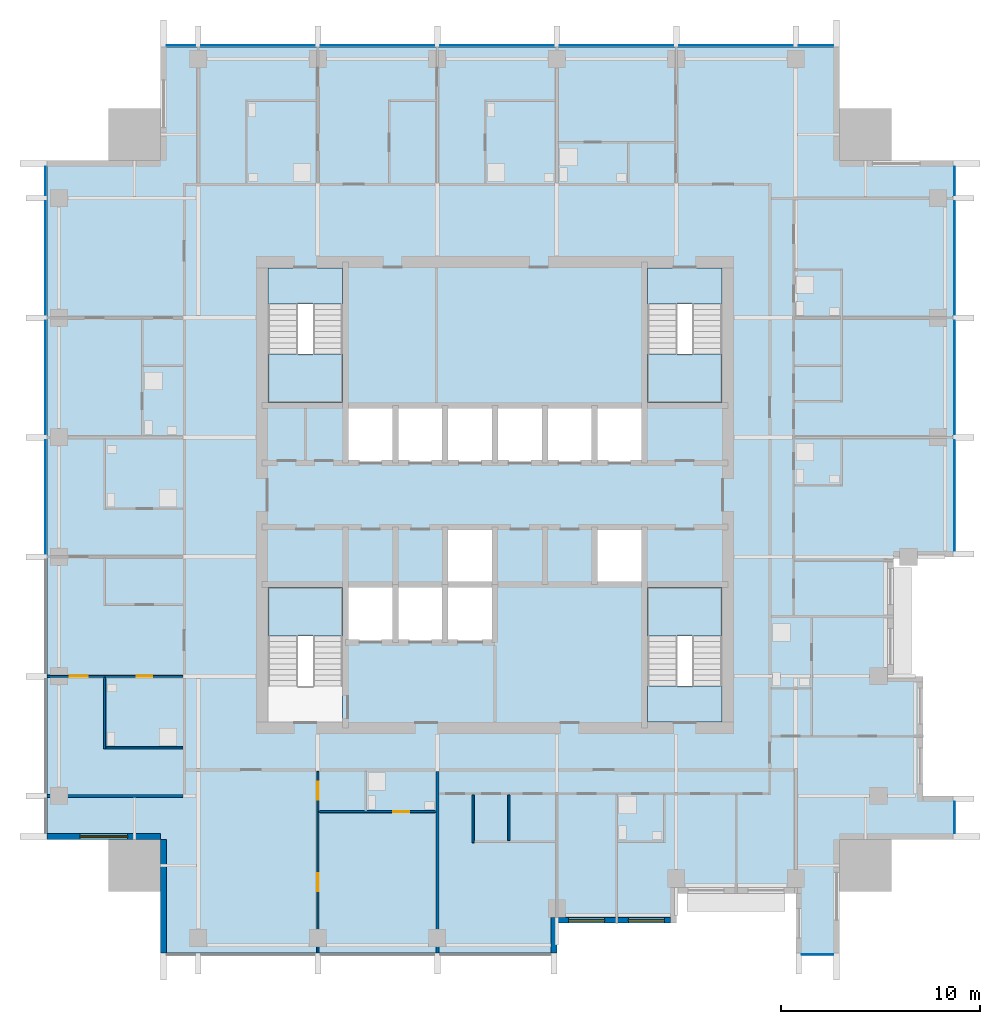
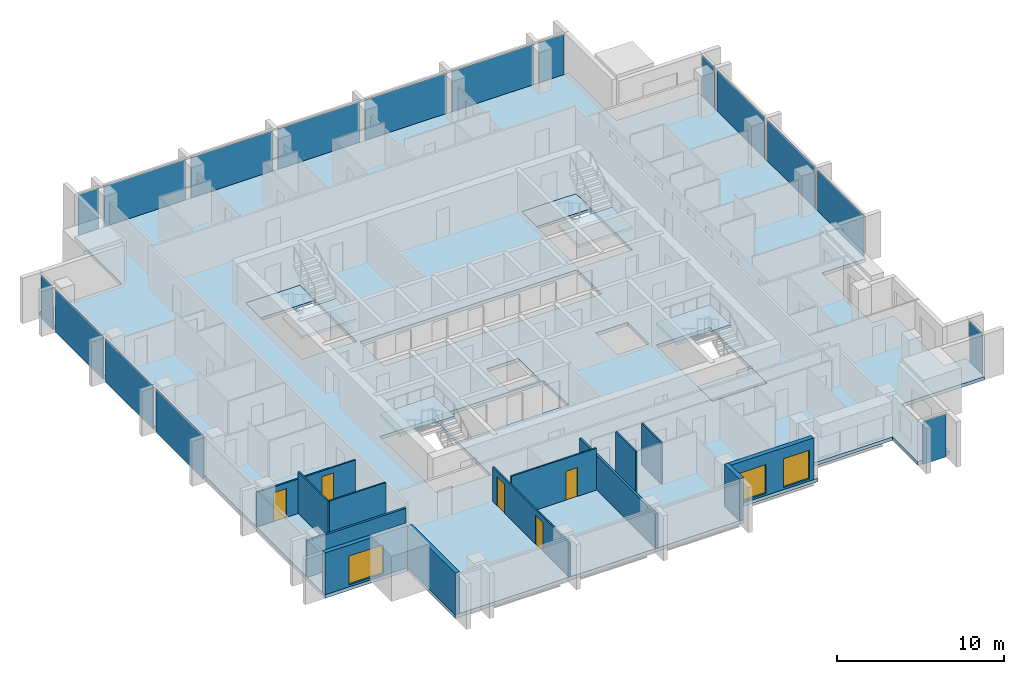
# One storey, part 3 of 10: 17 plates, 13 walls, 8 slabs, 5 doors, 3 windows, 8 openings, 9 elements without a shape of their own.
"""IFC4 building model written with IfcOpenShell, lengths in metres."""

from ifc_helpers import new_model, si_unit, direction, frame, frame_2d, origin, origin_2d, place, context, subcontext, project, spatial, polyline, rectangle, outline, extrude, material, layer, layer_set, type_object, element, fill, aggregate, save


model = new_model("IFC4")

# Units and contexts
model_context = context("Model", 3, precision=1e-05, world=origin(), true_north=direction((0.0, 1.0)))
body_context = subcontext(model_context, "Body", "Model", "MODEL_VIEW")
ifc_project = project(units=[si_unit("LENGTHUNIT", "METRE"), si_unit("AREAUNIT", "SQUARE_METRE"), si_unit("VOLUMEUNIT", "CUBIC_METRE"), si_unit("PLANEANGLEUNIT", "RADIAN"), si_unit("MASSUNIT", "GRAM", prefix="KILO")], contexts=[model_context])

# Site, building, storey
site_placement = place(None, origin())
site = spatial("IfcSite", under=ifc_project, at=site_placement, CompositionType="ELEMENT")
building_placement = place(site_placement, origin())
building = spatial("IfcBuilding", under=site, at=building_placement, Name="Amberfall Residences", CompositionType="ELEMENT")
storey_placement = place(building_placement, frame((0.0, 0.0, 200.199951171875)))
storey = spatial("IfcBuildingStorey", under=building, at=storey_placement, Name="L53", CompositionType="ELEMENT", Elevation=200.199951171875)

# Curtain wall, plate
ifc_material_1 = material(Name="Bronze anodised aluminium and glass", Category="aluminium")
curtain_wall_type = type_object("IfcCurtainWallType", Name="Curtain wall CW1 tower unit", PredefinedType="USERDEFINED", material=ifc_material_1)
curtain_wall_1_placement = place(storey_placement, origin())
curtain_wall_1 = element("IfcCurtainWall", 1, at=curtain_wall_1_placement, inside=storey, type_object=curtain_wall_type, Name="Curtain wall L53 S S7", ObjectType="UNITISED CURTAIN WALL", PredefinedType="USERDEFINED")
ifc_material_2 = material(Name="Tinted double glazed unit", Category="glass")
ifc_layer_1 = layer(ifc_material_2, 0.035888671875)
ifc_layer_set_1 = layer_set([ifc_layer_1], Name="CW1 panel 36 glazing")
plate_type = type_object("IfcPlateType", Name="CW1 panel 36 glazing", PredefinedType="CURTAIN_PANEL", material=ifc_layer_set_1)
plate_1_placement = place(storey_placement, frame((90.699951171875, 22.425048828125, -0.25), z_axis=(0.0, 0.0, 1.0), x_axis=(1.0, 0.0, 0.0)))
plate_1 = element("IfcPlate", 2, at=plate_1_placement, type_object=plate_type, Name="CW1 panel 1.1", PredefinedType="CURTAIN_PANEL", context=body_context, shape_type="SweptSolid", body=[
    extrude(rectangle(XDim=1.575927734375, YDim=0.035888671875, at=origin_2d()), origin(), (0.0, 0.0, 1.0), 3.14990234375),
])
aggregate(curtain_wall_1, [plate_1])

curtain_wall_2_placement = place(storey_placement, origin())
curtain_wall_2 = element("IfcCurtainWall", 3, at=curtain_wall_2_placement, inside=storey, type_object=curtain_wall_type, Name="Curtain wall L53 E E1", ObjectType="UNITISED CURTAIN WALL", PredefinedType="USERDEFINED")
plate_2_placement = place(storey_placement, frame((97.574951171875, 29.300048828125, -0.25), z_axis=(0.0, 0.0, 1.0), x_axis=(0.0, 1.0, 0.0)))
plate_2 = element("IfcPlate", 4, at=plate_2_placement, type_object=plate_type, Name="CW1 panel 1.1", PredefinedType="CURTAIN_PANEL", context=body_context, shape_type="SweptSolid", body=[
    extrude(rectangle(XDim=1.575927734375, YDim=0.035888671875, at=origin_2d()), origin(), (0.0, 0.0, 1.0), 3.14990234375),
])
aggregate(curtain_wall_2, [plate_2])

# Curtain wall, plates
curtain_wall_3_placement = place(storey_placement, origin())
curtain_wall_3 = element("IfcCurtainWall", 5, at=curtain_wall_3_placement, inside=storey, type_object=curtain_wall_type, Name="Curtain wall L53 E E7", ObjectType="UNITISED CURTAIN WALL", PredefinedType="USERDEFINED")
plate_3_placement = place(storey_placement, frame((97.574951171875, 45.47509765625, -0.25), z_axis=(0.0, 0.0, 1.0), x_axis=(0.0, 1.0, 0.0)))
plate_3 = element("IfcPlate", 6, at=plate_3_placement, type_object=plate_type, Name="CW1 panel 1.1", PredefinedType="CURTAIN_PANEL", context=body_context, shape_type="SweptSolid", body=[
    extrude(rectangle(XDim=5.52587890625, YDim=0.035888671875, at=origin_2d()), origin(), (0.0, 0.0, 1.0), 3.14990234375),
])
plate_4_placement = place(storey_placement, frame((97.574951171875, 51.39990234375, -0.25), z_axis=(0.0, 0.0, 1.0), x_axis=(0.0, 1.0, 0.0)))
plate_4 = element("IfcPlate", 7, at=plate_4_placement, type_object=plate_type, Name="CW1 panel 2.1", PredefinedType="CURTAIN_PANEL", context=body_context, shape_type="SweptSolid", body=[
    extrude(rectangle(XDim=5.676025390625, YDim=0.035888671875, at=origin_2d()), origin(), (0.0, 0.0, 1.0), 3.14990234375),
])
plate_5_placement = place(storey_placement, frame((97.574951171875, 57.39990234375, -0.25), z_axis=(0.0, 0.0, 1.0), x_axis=(0.0, 1.0, 0.0)))
plate_5 = element("IfcPlate", 8, at=plate_5_placement, type_object=plate_type, Name="CW1 panel 3.1", PredefinedType="CURTAIN_PANEL", context=body_context, shape_type="SweptSolid", body=[
    extrude(rectangle(XDim=5.676025390625, YDim=0.035888671875, at=origin_2d()), origin(), (0.0, 0.0, 1.0), 3.14990234375),
])
plate_6_placement = place(storey_placement, frame((97.574951171875, 61.27490234375, -0.25), z_axis=(0.0, 0.0, 1.0), x_axis=(0.0, 1.0, 0.0)))
plate_6 = element("IfcPlate", 9, at=plate_6_placement, type_object=plate_type, Name="CW1 panel 4.1", PredefinedType="CURTAIN_PANEL", context=body_context, shape_type="SweptSolid", body=[
    extrude(rectangle(XDim=1.426025390625, YDim=0.035888671875, at=origin_2d()), origin(), (0.0, 0.0, 1.0), 3.14990234375),
])
aggregate(curtain_wall_3, [plate_3, plate_4, plate_5, plate_6])

curtain_wall_4_placement = place(storey_placement, origin())
curtain_wall_4 = element("IfcCurtainWall", 10, at=curtain_wall_4_placement, inside=storey, type_object=curtain_wall_type, Name="Curtain wall L53 N N1", ObjectType="UNITISED CURTAIN WALL", PredefinedType="USERDEFINED")
plate_7_placement = place(storey_placement, frame((90.625, 68.074951171875, -0.25), z_axis=(0.0, 0.0, 1.0), x_axis=(-1.0, 0.0, 0.0)))
plate_7 = element("IfcPlate", 11, at=plate_7_placement, type_object=plate_type, Name="CW1 panel 1.1", PredefinedType="CURTAIN_PANEL", context=body_context, shape_type="SweptSolid", body=[
    extrude(rectangle(XDim=1.72607421875, YDim=0.035888671875, at=origin_2d()), origin(), (0.0, 0.0, 1.0), 3.14990234375),
])
plate_8_placement = place(storey_placement, frame((86.60009765625, 68.074951171875, -0.25), z_axis=(0.0, 0.0, 1.0), x_axis=(-1.0, 0.0, 0.0)))
plate_8 = element("IfcPlate", 12, at=plate_8_placement, type_object=plate_type, Name="CW1 panel 2.1", PredefinedType="CURTAIN_PANEL", context=body_context, shape_type="SweptSolid", body=[
    extrude(rectangle(XDim=5.676025390625, YDim=0.035888671875, at=origin_2d()), origin(), (0.0, 0.0, 1.0), 3.14990234375),
])
plate_9_placement = place(storey_placement, frame((80.60009765625, 68.074951171875, -0.25), z_axis=(0.0, 0.0, 1.0), x_axis=(-1.0, 0.0, 0.0)))
plate_9 = element("IfcPlate", 13, at=plate_9_placement, type_object=plate_type, Name="CW1 panel 3.1", PredefinedType="CURTAIN_PANEL", context=body_context, shape_type="SweptSolid", body=[
    extrude(rectangle(XDim=5.676025390625, YDim=0.035888671875, at=origin_2d()), origin(), (0.0, 0.0, 1.0), 3.14990234375),
])
plate_10_placement = place(storey_placement, frame((74.60009765625, 68.074951171875, -0.25), z_axis=(0.0, 0.0, 1.0), x_axis=(-1.0, 0.0, 0.0)))
plate_10 = element("IfcPlate", 14, at=plate_10_placement, type_object=plate_type, Name="CW1 panel 4.1", PredefinedType="CURTAIN_PANEL", context=body_context, shape_type="SweptSolid", body=[
    extrude(rectangle(XDim=5.676025390625, YDim=0.035888671875, at=origin_2d()), origin(), (0.0, 0.0, 1.0), 3.14990234375),
])
plate_11_placement = place(storey_placement, frame((68.60009765625, 68.074951171875, -0.25), z_axis=(0.0, 0.0, 1.0), x_axis=(-1.0, 0.0, 0.0)))
plate_11 = element("IfcPlate", 15, at=plate_11_placement, type_object=plate_type, Name="CW1 panel 5.1", PredefinedType="CURTAIN_PANEL", context=body_context, shape_type="SweptSolid", body=[
    extrude(rectangle(XDim=5.676025390625, YDim=0.035888671875, at=origin_2d()), origin(), (0.0, 0.0, 1.0), 3.14990234375),
])
plate_12_placement = place(storey_placement, frame((62.60009765625, 68.074951171875, -0.25), z_axis=(0.0, 0.0, 1.0), x_axis=(-1.0, 0.0, 0.0)))
plate_12 = element("IfcPlate", 16, at=plate_12_placement, type_object=plate_type, Name="CW1 panel 6.1", PredefinedType="CURTAIN_PANEL", context=body_context, shape_type="SweptSolid", body=[
    extrude(rectangle(XDim=5.676025390625, YDim=0.035888671875, at=origin_2d()), origin(), (0.0, 0.0, 1.0), 3.14990234375),
])
plate_13_placement = place(storey_placement, frame((58.72509765625, 68.074951171875, -0.25), z_axis=(0.0, 0.0, 1.0), x_axis=(-1.0, 0.0, 0.0)))
plate_13 = element("IfcPlate", 17, at=plate_13_placement, type_object=plate_type, Name="CW1 panel 7.1", PredefinedType="CURTAIN_PANEL", context=body_context, shape_type="SweptSolid", body=[
    extrude(rectangle(XDim=1.426025390625, YDim=0.035888671875, at=origin_2d()), origin(), (0.0, 0.0, 1.0), 3.14990234375),
])
aggregate(curtain_wall_4, [plate_7, plate_8, plate_9, plate_10, plate_11, plate_12, plate_13])

curtain_wall_5_placement = place(storey_placement, origin())
curtain_wall_5 = element("IfcCurtainWall", 18, at=curtain_wall_5_placement, inside=storey, type_object=curtain_wall_type, Name="Curtain wall L53 W W1", ObjectType="UNITISED CURTAIN WALL", PredefinedType="USERDEFINED")
plate_14_placement = place(storey_placement, frame((51.925048828125, 61.27490234375, -0.25), z_axis=(0.0, 0.0, 1.0), x_axis=(0.0, -1.0, 0.0)))
plate_14 = element("IfcPlate", 19, at=plate_14_placement, type_object=plate_type, Name="CW1 panel 1.1", PredefinedType="CURTAIN_PANEL", context=body_context, shape_type="SweptSolid", body=[
    extrude(rectangle(XDim=1.426025390625, YDim=0.035888671875, at=origin_2d()), origin(), (0.0, 0.0, 1.0), 3.14990234375),
])
plate_15_placement = place(storey_placement, frame((51.925048828125, 57.39990234375, -0.25), z_axis=(0.0, 0.0, 1.0), x_axis=(0.0, -1.0, 0.0)))
plate_15 = element("IfcPlate", 20, at=plate_15_placement, type_object=plate_type, Name="CW1 panel 2.1", PredefinedType="CURTAIN_PANEL", context=body_context, shape_type="SweptSolid", body=[
    extrude(rectangle(XDim=5.676025390625, YDim=0.035888671875, at=origin_2d()), origin(), (0.0, 0.0, 1.0), 3.14990234375),
])
plate_16_placement = place(storey_placement, frame((51.925048828125, 51.39990234375, -0.25), z_axis=(0.0, 0.0, 1.0), x_axis=(0.0, -1.0, 0.0)))
plate_16 = element("IfcPlate", 21, at=plate_16_placement, type_object=plate_type, Name="CW1 panel 3.1", PredefinedType="CURTAIN_PANEL", context=body_context, shape_type="SweptSolid", body=[
    extrude(rectangle(XDim=5.676025390625, YDim=0.035888671875, at=origin_2d()), origin(), (0.0, 0.0, 1.0), 3.14990234375),
])
plate_17_placement = place(storey_placement, frame((51.925048828125, 45.39990234375, -0.25), z_axis=(0.0, 0.0, 1.0), x_axis=(0.0, -1.0, 0.0)))
plate_17 = element("IfcPlate", 22, at=plate_17_placement, type_object=plate_type, Name="CW1 panel 4.1", PredefinedType="CURTAIN_PANEL", context=body_context, shape_type="SweptSolid", body=[
    extrude(rectangle(XDim=5.676025390625, YDim=0.035888671875, at=origin_2d()), origin(), (0.0, 0.0, 1.0), 3.14990234375),
])
aggregate(curtain_wall_5, [plate_14, plate_15, plate_16, plate_17])

# Slab
ifc_material_3 = material(Name="Concrete C55", Category="concrete")
ifc_layer_2 = layer(ifc_material_3, 0.25)
ifc_layer_set_2 = layer_set([ifc_layer_2], Name="Floor slab 250 C55")
slab_type_1 = type_object("IfcSlabType", Name="Floor slab 250 C55", PredefinedType="FLOOR", material=ifc_layer_set_2)
slab_1_placement = place(storey_placement, frame((0.0, 0.0, -0.25)))
element("IfcSlab", 23, at=slab_1_placement, inside=storey, type_object=slab_type_1, Name="Floor slab S16 L53", PredefinedType="FLOOR", context=body_context, shape_type="SweptSolid", body=[
    extrude(outline(polyline([(89.60009765625, 22.5), (89.60009765625, 25.5), (83.60009765625, 25.5), (83.60009765625, 24.0), (77.60009765625, 24.0), (77.60009765625, 22.5), (57.699951171875, 22.5), (57.699951171875, 28.199951171875), (52.0, 28.199951171875), (52.0, 62.300048828125), (57.699951171875, 62.300048828125), (57.699951171875, 68.0), (91.800048828125, 68.0), (91.800048828125, 62.300048828125), (97.5, 62.300048828125), (97.5, 42.39990234375), (94.5, 42.39990234375), (94.5, 36.39990234375), (96.0, 36.39990234375), (96.0, 30.39990234375), (97.5, 30.39990234375), (97.5, 28.199951171875), (91.800048828125, 28.199951171875), (91.800048828125, 22.5), (89.60009765625, 22.5)]), holes=[polyline([(85.89990234375, 34.10009765625), (85.89990234375, 40.85009765625), (82.14990234375, 40.85009765625), (82.14990234375, 34.10009765625), (85.89990234375, 34.10009765625)]), polyline([(85.89990234375, 50.14990234375), (85.89990234375, 56.89990234375), (82.14990234375, 56.89990234375), (82.14990234375, 50.14990234375), (85.89990234375, 50.14990234375)]), polyline([(72.0, 50.0), (69.5, 50.0), (67.0, 50.0), (67.0, 47.10009765625), (69.5, 47.10009765625), (72.0, 47.10009765625), (74.5, 47.10009765625), (77.0, 47.10009765625), (79.5, 47.10009765625), (82.0, 47.10009765625), (82.0, 50.0), (79.5, 50.0), (77.0, 50.0), (74.5, 50.0), (72.0, 50.0)]), polyline([(81.85009765625, 41.14990234375), (81.85009765625, 43.75), (79.64990234375, 43.75), (79.64990234375, 41.14990234375), (81.85009765625, 41.14990234375)]), polyline([(69.5, 41.0), (67.0, 41.0), (67.0, 38.10009765625), (69.5, 38.10009765625), (72.0, 38.10009765625), (74.5, 38.10009765625), (74.5, 41.0), (72.0, 41.0), (69.5, 41.0)]), polyline([(74.35009765625, 41.14990234375), (74.35009765625, 43.75), (72.14990234375, 43.75), (72.14990234375, 41.14990234375), (74.35009765625, 41.14990234375)]), polyline([(66.85009765625, 50.14990234375), (66.85009765625, 56.89990234375), (63.10009765625, 56.89990234375), (63.10009765625, 50.14990234375), (66.85009765625, 50.14990234375)]), polyline([(66.85009765625, 40.85009765625), (63.10009765625, 40.85009765625), (63.10009765625, 34.10009765625), (66.85009765625, 34.10009765625), (66.85009765625, 40.85009765625)])]), origin(), (0.0, 0.0, 1.0), 0.25),
])

# Stair, slab
ifc_material_4 = material(Name="Concrete C40", Category="concrete")
stair_type = type_object("IfcStairType", Name="Exit stair 20 risers 165.0 mm", PredefinedType="HALF_TURN_STAIR", material=ifc_material_4)
stair_1_placement = place(storey_placement, origin())
stair_1 = element("IfcStair", 24, at=stair_1_placement, inside=storey, type_object=stair_type, Name="L53 Exit stair 1", PredefinedType="HALF_TURN_STAIR")
ifc_layer_3 = layer(ifc_material_4, 0.199951171875)
ifc_layer_set_3 = layer_set([ifc_layer_3], Name="Stair landing 200")
slab_type_2 = type_object("IfcSlabType", Name="Stair landing 200", PredefinedType="LANDING", material=ifc_layer_set_3)
slab_2_placement = place(storey_placement, frame((0.0, 0.0, 1.449951171875)))
slab_2 = element("IfcSlab", 25, at=slab_2_placement, type_object=slab_type_2, Name="ST3 landing 1", PredefinedType="LANDING", context=body_context, shape_type="SweptSolid", body=[
    extrude(outline(polyline([(66.85009765625, 38.419921875), (66.85009765625, 40.85009765625), (63.10009765625, 40.85009765625), (63.10009765625, 38.419921875), (66.85009765625, 38.419921875)])), origin(), (0.0, 0.0, 1.0), 0.2001953125),
])
aggregate(stair_1, [slab_2])

# Stair, slabs
stair_2_placement = place(storey_placement, origin())
stair_2 = element("IfcStair", 26, at=stair_2_placement, inside=storey, type_object=stair_type, Name="L53 Exit stair 2", PredefinedType="HALF_TURN_STAIR")
slab_3_placement = place(storey_placement, frame((0.0, 0.0, 1.449951171875)))
slab_3 = element("IfcSlab", 27, at=slab_3_placement, type_object=slab_type_2, Name="ST3 landing 1", PredefinedType="LANDING", context=body_context, shape_type="SweptSolid", body=[
    extrude(outline(polyline([(85.89990234375, 38.419921875), (85.89990234375, 40.85009765625), (82.14990234375, 40.85009765625), (82.14990234375, 38.419921875), (85.89990234375, 38.419921875)])), origin(), (0.0, 0.0, 1.0), 0.2001953125),
])
slab_4_placement = place(storey_placement, frame((0.0, 0.0, -0.199951171875)))
slab_4 = element("IfcSlab", 28, at=slab_4_placement, type_object=slab_type_2, Name="ST3 landing 2", PredefinedType="LANDING", context=body_context, shape_type="SweptSolid", body=[
    extrude(outline(polyline([(85.89990234375, 34.10009765625), (85.89990234375, 35.89990234375), (82.14990234375, 35.89990234375), (82.14990234375, 34.10009765625), (85.89990234375, 34.10009765625)])), origin(), (0.0, 0.0, 1.0), 0.199951171875),
])
aggregate(stair_2, [slab_3, slab_4])

stair_3_placement = place(storey_placement, origin())
stair_3 = element("IfcStair", 29, at=stair_3_placement, inside=storey, type_object=stair_type, Name="L53 Exit stair 3", PredefinedType="HALF_TURN_STAIR")
slab_5_placement = place(storey_placement, frame((0.0, 0.0, 1.449951171875)))
slab_5 = element("IfcSlab", 30, at=slab_5_placement, type_object=slab_type_2, Name="ST3 landing 1", PredefinedType="LANDING", context=body_context, shape_type="SweptSolid", body=[
    extrude(outline(polyline([(82.14990234375, 52.580078125), (82.14990234375, 50.14990234375), (85.89990234375, 50.14990234375), (85.89990234375, 52.580078125), (82.14990234375, 52.580078125)])), origin(), (0.0, 0.0, 1.0), 0.2001953125),
])
slab_6_placement = place(storey_placement, frame((0.0, 0.0, -0.199951171875)))
slab_6 = element("IfcSlab", 31, at=slab_6_placement, type_object=slab_type_2, Name="ST3 landing 2", PredefinedType="LANDING", context=body_context, shape_type="SweptSolid", body=[
    extrude(outline(polyline([(82.14990234375, 56.89990234375), (82.14990234375, 55.10009765625), (85.89990234375, 55.10009765625), (85.89990234375, 56.89990234375), (82.14990234375, 56.89990234375)])), origin(), (0.0, 0.0, 1.0), 0.199951171875),
])
aggregate(stair_3, [slab_5, slab_6])

stair_4_placement = place(storey_placement, origin())
stair_4 = element("IfcStair", 32, at=stair_4_placement, inside=storey, type_object=stair_type, Name="L53 Exit stair 4", PredefinedType="HALF_TURN_STAIR")
slab_7_placement = place(storey_placement, frame((0.0, 0.0, 1.449951171875)))
slab_7 = element("IfcSlab", 33, at=slab_7_placement, type_object=slab_type_2, Name="ST3 landing 1", PredefinedType="LANDING", context=body_context, shape_type="SweptSolid", body=[
    extrude(outline(polyline([(63.10009765625, 52.580078125), (63.10009765625, 50.14990234375), (66.85009765625, 50.14990234375), (66.85009765625, 52.580078125), (63.10009765625, 52.580078125)])), origin(), (0.0, 0.0, 1.0), 0.2001953125),
])
slab_8_placement = place(storey_placement, frame((0.0, 0.0, -0.199951171875)))
slab_8 = element("IfcSlab", 34, at=slab_8_placement, type_object=slab_type_2, Name="ST3 landing 2", PredefinedType="LANDING", context=body_context, shape_type="SweptSolid", body=[
    extrude(outline(polyline([(63.10009765625, 56.89990234375), (63.10009765625, 55.10009765625), (66.85009765625, 55.10009765625), (66.85009765625, 56.89990234375), (63.10009765625, 56.89990234375)])), origin(), (0.0, 0.0, 1.0), 0.199951171875),
])
aggregate(stair_4, [slab_7, slab_8])

# Wall
ifc_material_5 = material(Name="Pale stone cladding on insulated backing", Category="masonry")
ifc_layer_4 = layer(ifc_material_5, 0.300048828125)
ifc_layer_set_4 = layer_set([ifc_layer_4], Name="Bronze clad wall 300")
wall_type_1 = type_object("IfcWallType", Name="Bronze clad wall 300", PredefinedType="SOLIDWALL", material=ifc_layer_set_4)
wall_1_placement = place(storey_placement, frame((77.449951171875, 22.5, 0.0), z_axis=(0.0, 0.0, 1.0), x_axis=(0.0, 1.0, 0.0)))
element("IfcWall", 35, at=wall_1_placement, inside=storey, type_object=wall_type_1, Name="External wall L53 S", PredefinedType="SOLIDWALL", context=body_context, shape_type="SweptSolid", body=[
    extrude(rectangle(XDim=1.800048828125, YDim=0.300048828125, at=frame_2d((0.89990234375, 0.0))), origin(), (0.0, 0.0, 1.0), 3.050048828125),
])

# Wall, opening, window
wall_2_placement = place(storey_placement, frame((52.0, 28.35009765625, 0.0), z_axis=(0.0, 0.0, 1.0), x_axis=(1.0, 0.0, 0.0)))
wall_2 = element("IfcWall", 36, at=wall_2_placement, inside=storey, type_object=wall_type_1, Name="External wall L53 SW", PredefinedType="SOLIDWALL", context=body_context, shape_type="SweptSolid", body=[
    extrude(rectangle(XDim=5.699951171875, YDim=0.300048828125, at=frame_2d((2.85009765625, 0.0))), origin(), (0.0, 0.0, 1.0), 3.050048828125),
])
opening_1_placement = place(wall_2_placement, frame((1.64990234375, 0.0, 0.14990234375)))
opening_1 = element("IfcOpeningElement", 37, at=opening_1_placement, cuts=wall_2, Name="Opening WN5", PredefinedType="OPENING", context=body_context, shape_type="SweptSolid", body=[
    extrude(rectangle(XDim=2.39990234375, YDim=2.10009765625, at=frame_2d((1.199951171875, 1.050048828125))), frame((0.0, 0.159912109375, 0.0), z_axis=(0.0, -1.0, 0.0), x_axis=(1.0, 0.0, 0.0)), (0.0, 0.0, 1.0), 0.320068359375),
])
ifc_material_6 = material(Name="Bronze aluminium framed glazing", Category="aluminium")
window_type_1 = type_object("IfcWindowType", Name="Glazed opening 2400 x 2100 bronze", PartitioningType="DOUBLE_PANEL_VERTICAL", PredefinedType="WINDOW", material=ifc_material_6)
window_1_placement = place(opening_1_placement, origin())
window_1 = element("IfcWindow", 38, at=window_1_placement, inside=storey, type_object=window_type_1, Name="Window L53 SW", OverallHeight=2.10009765625, OverallWidth=2.39990234375, PartitioningType="DOUBLE_PANEL_VERTICAL", PredefinedType="WINDOW", context=body_context, shape_type="SweptSolid", body=[
    extrude(rectangle(XDim=2.39990234375, YDim=2.10009765625, at=frame_2d((1.199951171875, 1.050048828125))), frame((0.0, 0.030029296875, 0.0), z_axis=(0.0, -1.0, 0.0), x_axis=(1.0, 0.0, 0.0)), (0.0, 0.0, 1.0), 0.06005859375),
])
fill(opening_1, window_1)

# Wall
wall_3_placement = place(storey_placement, frame((57.85009765625, 28.199951171875, 0.0), z_axis=(0.0, 0.0, 1.0), x_axis=(0.0, -1.0, 0.0)))
element("IfcWall", 39, at=wall_3_placement, inside=storey, type_object=wall_type_1, Name="External wall L53 SW", PredefinedType="SOLIDWALL", context=body_context, shape_type="SweptSolid", body=[
    extrude(rectangle(XDim=5.699951171875, YDim=0.300048828125, at=frame_2d((2.85009765625, 0.0))), origin(), (0.0, 0.0, 1.0), 3.050048828125),
])

# Wall, openings, windows
wall_4_placement = place(storey_placement, frame((77.60009765625, 24.14990234375, 0.0), z_axis=(0.0, 0.0, 1.0), x_axis=(1.0, 0.0, 0.0)))
wall_4 = element("IfcWall", 40, at=wall_4_placement, inside=storey, type_object=wall_type_1, Name="Stone wall L53 S", PredefinedType="SOLIDWALL", context=body_context, shape_type="SweptSolid", body=[
    extrude(rectangle(XDim=5.699951171875, YDim=0.300048828125, at=frame_2d((2.85009765625, 0.0))), origin(), (0.0, 0.0, 1.0), 3.050048828125),
])
opening_2_placement = place(wall_4_placement, frame((0.60009765625, 0.0, 0.14990234375)))
opening_2 = element("IfcOpeningElement", 41, at=opening_2_placement, cuts=wall_4, Name="Opening WN6", PredefinedType="OPENING", context=body_context, shape_type="SweptSolid", body=[
    extrude(rectangle(XDim=1.800048828125, YDim=2.10009765625, at=frame_2d((0.89990234375, 1.050048828125))), frame((0.0, 0.159912109375, 0.0), z_axis=(0.0, -1.0, 0.0), x_axis=(1.0, 0.0, 0.0)), (0.0, 0.0, 1.0), 0.320068359375),
])
opening_3_placement = place(wall_4_placement, frame((3.60009765625, 0.0, 0.14990234375)))
opening_3 = element("IfcOpeningElement", 42, at=opening_3_placement, cuts=wall_4, Name="Opening WN6", PredefinedType="OPENING", context=body_context, shape_type="SweptSolid", body=[
    extrude(rectangle(XDim=1.800048828125, YDim=2.10009765625, at=frame_2d((0.89990234375, 1.050048828125))), frame((0.0, 0.159912109375, 0.0), z_axis=(0.0, -1.0, 0.0), x_axis=(1.0, 0.0, 0.0)), (0.0, 0.0, 1.0), 0.320068359375),
])
window_type_2 = type_object("IfcWindowType", Name="Glazed opening 1800 x 2100 bronze", PartitioningType="DOUBLE_PANEL_VERTICAL", PredefinedType="WINDOW", material=ifc_material_6)
window_2_placement = place(opening_2_placement, origin())
window_2 = element("IfcWindow", 43, at=window_2_placement, inside=storey, type_object=window_type_2, Name="Window L53 S", OverallHeight=2.10009765625, OverallWidth=1.800048828125, PartitioningType="DOUBLE_PANEL_VERTICAL", PredefinedType="WINDOW", context=body_context, shape_type="SweptSolid", body=[
    extrude(rectangle(XDim=1.800048828125, YDim=2.10009765625, at=frame_2d((0.89990234375, 1.050048828125))), frame((0.0, 0.030029296875, 0.0), z_axis=(0.0, -1.0, 0.0), x_axis=(1.0, 0.0, 0.0)), (0.0, 0.0, 1.0), 0.06005859375),
])
fill(opening_2, window_2)
window_3_placement = place(opening_3_placement, origin())
window_3 = element("IfcWindow", 44, at=window_3_placement, inside=storey, type_object=window_type_2, Name="Window L53 S", OverallHeight=2.10009765625, OverallWidth=1.800048828125, PartitioningType="DOUBLE_PANEL_VERTICAL", PredefinedType="WINDOW", context=body_context, shape_type="SweptSolid", body=[
    extrude(rectangle(XDim=1.800048828125, YDim=2.10009765625, at=frame_2d((0.89990234375, 1.050048828125))), frame((0.0, 0.030029296875, 0.0), z_axis=(0.0, -1.0, 0.0), x_axis=(1.0, 0.0, 0.0)), (0.0, 0.0, 1.0), 0.06005859375),
])
fill(opening_3, window_3)

# Wall
ifc_material_7 = material(Name="Gypsum board on metal stud")
ifc_layer_5 = layer(ifc_material_7, 0.10009765625)
ifc_layer_set_5 = layer_set([ifc_layer_5], Name="Flat partition 100")
wall_type_2 = type_object("IfcWallType", Name="Flat partition 100", PredefinedType="PARTITIONING", material=ifc_layer_set_5)
wall_5_placement = place(storey_placement, frame((54.89990234375, 32.75, 0.0), z_axis=(0.0, 0.0, 1.0), x_axis=(0.0, 1.0, 0.0)))
element("IfcWall", 45, at=wall_5_placement, inside=storey, type_object=wall_type_2, Name="Partition 001", PredefinedType="PARTITIONING", context=body_context, shape_type="SweptSolid", body=[
    extrude(rectangle(XDim=3.60009765625, YDim=0.10009765625, at=frame_2d((1.800048828125, 0.0))), origin(), (0.0, 0.0, 1.0), 3.050048828125),
])

# Wall, openings, doors
wall_6_placement = place(storey_placement, frame((65.60009765625, 31.625, 0.0), z_axis=(0.0, 0.0, 1.0), x_axis=(0.0, -1.0, 0.0)))
wall_6 = element("IfcWall", 46, at=wall_6_placement, inside=storey, type_object=wall_type_2, Name="Partition 006", PredefinedType="PARTITIONING", context=body_context, shape_type="SweptSolid", body=[
    extrude(rectangle(XDim=9.125, YDim=0.10009765625, at=frame_2d((4.5625, 0.0))), origin(), (0.0, 0.0, 1.0), 2.51611328125),
])
opening_4_placement = place(wall_6_placement, frame((0.52490234375, 0.0, 0.0)))
opening_4 = element("IfcOpeningElement", 47, at=opening_4_placement, cuts=wall_6, Name="Opening D41", PredefinedType="OPENING", context=body_context, shape_type="SweptSolid", body=[
    extrude(rectangle(XDim=0.89990234375, YDim=2.10009765625, at=frame_2d((0.449951171875, 1.050048828125))), frame((0.0, 0.06005859375, 0.0), z_axis=(0.0, -1.0, 0.0), x_axis=(1.0, 0.0, 0.0)), (0.0, 0.0, 1.0), 0.1201171875),
])
opening_5_placement = place(wall_6_placement, frame((5.125, 0.0, 0.0)))
opening_5 = element("IfcOpeningElement", 48, at=opening_5_placement, cuts=wall_6, Name="Opening D41", PredefinedType="OPENING", context=body_context, shape_type="SweptSolid", body=[
    extrude(rectangle(XDim=0.89990234375, YDim=2.10009765625, at=frame_2d((0.449951171875, 1.050048828125))), frame((0.0, 0.06005859375, 0.0), z_axis=(0.0, -1.0, 0.0), x_axis=(1.0, 0.0, 0.0)), (0.0, 0.0, 1.0), 0.1201171875),
])
ifc_material_8 = material(Name="Timber", Category="wood")
door_type_1 = type_object("IfcDoorType", Name="Internal door 900 x 2100", OperationType="SINGLE_SWING_LEFT", PredefinedType="DOOR", material=ifc_material_8)
door_1_placement = place(opening_4_placement, origin())
door_1 = element("IfcDoor", 49, at=door_1_placement, inside=storey, type_object=door_type_1, Name="Door 5301 kitchen", OperationType="SINGLE_SWING_LEFT", OverallHeight=2.10009765625, OverallWidth=0.89990234375, PredefinedType="DOOR", context=body_context, shape_type="SweptSolid", body=[
    extrude(rectangle(XDim=0.89990234375, YDim=2.10009765625, at=frame_2d((0.449951171875, 1.050048828125))), frame((0.0, 0.02490234375, 0.0), z_axis=(0.0, -1.0, 0.0), x_axis=(1.0, 0.0, 0.0)), (0.0, 0.0, 1.0), 0.050048828125),
])
fill(opening_4, door_1)
door_2_placement = place(opening_5_placement, origin())
door_2 = element("IfcDoor", 50, at=door_2_placement, inside=storey, type_object=door_type_1, Name="Door 5301 bedroom1", OperationType="SINGLE_SWING_LEFT", OverallHeight=2.10009765625, OverallWidth=0.89990234375, PredefinedType="DOOR", context=body_context, shape_type="SweptSolid", body=[
    extrude(rectangle(XDim=0.89990234375, YDim=2.10009765625, at=frame_2d((0.449951171875, 1.050048828125))), frame((0.0, 0.02490234375, 0.0), z_axis=(0.0, -1.0, 0.0), x_axis=(1.0, 0.0, 0.0)), (0.0, 0.0, 1.0), 0.050048828125),
])
fill(opening_5, door_2)

# Walls
wall_7_placement = place(storey_placement, frame((73.39990234375, 28.050048828125, 0.0), z_axis=(0.0, 0.0, 1.0), x_axis=(0.0, 1.0, 0.0)))
element("IfcWall", 51, at=wall_7_placement, inside=storey, type_object=wall_type_2, Name="Partition 011", PredefinedType="PARTITIONING", context=body_context, shape_type="SweptSolid", body=[
    extrude(rectangle(XDim=2.39990234375, YDim=0.10009765625, at=frame_2d((1.199951171875, 0.0))), origin(), (0.0, 0.0, 1.0), 3.050048828125),
])
wall_8_placement = place(storey_placement, frame((75.199951171875, 28.14990234375, 0.0), z_axis=(0.0, 0.0, 1.0), x_axis=(0.0, 1.0, 0.0)))
element("IfcWall", 52, at=wall_8_placement, inside=storey, type_object=wall_type_2, Name="Partition 013", PredefinedType="PARTITIONING", context=body_context, shape_type="SweptSolid", body=[
    extrude(rectangle(XDim=2.300048828125, YDim=0.10009765625, at=frame_2d((1.14990234375, 0.0))), origin(), (0.0, 0.0, 1.0), 3.050048828125),
])

# Wall, openings, doors
wall_9_placement = place(storey_placement, frame((58.824951171875, 36.39990234375, 0.0), z_axis=(0.0, 0.0, 1.0), x_axis=(-1.0, 0.0, 0.0)))
wall_9 = element("IfcWall", 53, at=wall_9_placement, inside=storey, type_object=wall_type_2, Name="Partition 041", PredefinedType="PARTITIONING", context=body_context, shape_type="SweptSolid", body=[
    extrude(rectangle(XDim=6.824951171875, YDim=0.10009765625, at=frame_2d((3.41259765625, 0.0))), origin(), (0.0, 0.0, 1.0), 2.51611328125),
])
opening_6_placement = place(wall_9_placement, frame((4.77490234375, 0.0, 0.0)))
opening_6 = element("IfcOpeningElement", 54, at=opening_6_placement, cuts=wall_9, Name="Opening D41", PredefinedType="OPENING", context=body_context, shape_type="SweptSolid", body=[
    extrude(rectangle(XDim=0.89990234375, YDim=2.10009765625, at=frame_2d((0.449951171875, 1.050048828125))), frame((0.0, 0.06005859375, 0.0), z_axis=(0.0, -1.0, 0.0), x_axis=(1.0, 0.0, 0.0)), (0.0, 0.0, 1.0), 0.1201171875),
])
opening_7_placement = place(wall_9_placement, frame((1.52490234375, 0.0, 0.0)))
opening_7 = element("IfcOpeningElement", 55, at=opening_7_placement, cuts=wall_9, Name="Opening D42", PredefinedType="OPENING", context=body_context, shape_type="SweptSolid", body=[
    extrude(rectangle(XDim=0.800048828125, YDim=2.10009765625, at=frame_2d((0.39990234375, 1.050048828125))), frame((0.0, 0.06005859375, 0.0), z_axis=(0.0, -1.0, 0.0), x_axis=(1.0, 0.0, 0.0)), (0.0, 0.0, 1.0), 0.1201171875),
])
door_type_2 = type_object("IfcDoorType", Name="Bathroom door 800 x 2100", OperationType="SINGLE_SWING_LEFT", PredefinedType="DOOR", material=ifc_material_8)
door_3_placement = place(opening_7_placement, origin())
door_3 = element("IfcDoor", 56, at=door_3_placement, inside=storey, type_object=door_type_2, Name="Door 5307 bath1", OperationType="SINGLE_SWING_LEFT", OverallHeight=2.10009765625, OverallWidth=0.800048828125, PredefinedType="DOOR", context=body_context, shape_type="SweptSolid", body=[
    extrude(rectangle(XDim=0.800048828125, YDim=2.10009765625, at=frame_2d((0.39990234375, 1.050048828125))), frame((0.0, 0.02490234375, 0.0), z_axis=(0.0, -1.0, 0.0), x_axis=(1.0, 0.0, 0.0)), (0.0, 0.0, 1.0), 0.050048828125),
])
fill(opening_7, door_3)
door_4_placement = place(opening_6_placement, origin())
door_4 = element("IfcDoor", 57, at=door_4_placement, inside=storey, type_object=door_type_1, Name="Door 5307 bedroom1", OperationType="SINGLE_SWING_LEFT", OverallHeight=2.10009765625, OverallWidth=0.89990234375, PredefinedType="DOOR", context=body_context, shape_type="SweptSolid", body=[
    extrude(rectangle(XDim=0.89990234375, YDim=2.10009765625, at=frame_2d((0.449951171875, 1.050048828125))), frame((0.0, 0.02490234375, 0.0), z_axis=(0.0, -1.0, 0.0), x_axis=(1.0, 0.0, 0.0)), (0.0, 0.0, 1.0), 0.050048828125),
])
fill(opening_6, door_4)

# Wall
wall_10_placement = place(storey_placement, frame((54.949951171875, 32.800048828125, 0.0), z_axis=(0.0, 0.0, 1.0), x_axis=(1.0, 0.0, 0.0)))
element("IfcWall", 58, at=wall_10_placement, inside=storey, type_object=wall_type_2, Name="Partition 044", PredefinedType="PARTITIONING", context=body_context, shape_type="SweptSolid", body=[
    extrude(rectangle(XDim=3.875, YDim=0.10009765625, at=frame_2d((1.9375, 0.0))), origin(), (0.0, 0.0, 1.0), 3.050048828125),
])

# Wall, opening, door
wall_11_placement = place(storey_placement, frame((65.64990234375, 29.60009765625, 0.0), z_axis=(0.0, 0.0, 1.0), x_axis=(1.0, 0.0, 0.0)))
wall_11 = element("IfcWall", 59, at=wall_11_placement, inside=storey, type_object=wall_type_2, Name="Partition 046", PredefinedType="PARTITIONING", context=body_context, shape_type="SweptSolid", body=[
    extrude(rectangle(XDim=5.875, YDim=0.10009765625, at=frame_2d((2.9375, 0.0))), origin(), (0.0, 0.0, 1.0), 3.050048828125),
])
opening_8_placement = place(wall_11_placement, frame((3.75, 0.0, 0.0)))
opening_8 = element("IfcOpeningElement", 60, at=opening_8_placement, cuts=wall_11, Name="Opening D42", PredefinedType="OPENING", context=body_context, shape_type="SweptSolid", body=[
    extrude(rectangle(XDim=0.800048828125, YDim=2.10009765625, at=frame_2d((0.39990234375, 1.050048828125))), frame((0.0, 0.06005859375, 0.0), z_axis=(0.0, -1.0, 0.0), x_axis=(1.0, 0.0, 0.0)), (0.0, 0.0, 1.0), 0.1201171875),
])
door_5_placement = place(opening_8_placement, origin())
door_5 = element("IfcDoor", 61, at=door_5_placement, inside=storey, type_object=door_type_2, Name="Door 5301 bath1", OperationType="SINGLE_SWING_LEFT", OverallHeight=2.10009765625, OverallWidth=0.800048828125, PredefinedType="DOOR", context=body_context, shape_type="SweptSolid", body=[
    extrude(rectangle(XDim=0.800048828125, YDim=2.10009765625, at=frame_2d((0.39990234375, 1.050048828125))), frame((0.0, 0.02490234375, 0.0), z_axis=(0.0, -1.0, 0.0), x_axis=(1.0, 0.0, 0.0)), (0.0, 0.0, 1.0), 0.050048828125),
])
fill(opening_8, door_5)

# Walls
ifc_material_9 = material(Name="Blockwork, plastered", Category="masonry")
ifc_layer_6 = layer(ifc_material_9, 0.14990234375)
ifc_layer_set_6 = layer_set([ifc_layer_6], Name="Flat separating wall 150")
wall_type_3 = type_object("IfcWallType", Name="Flat separating wall 150", PredefinedType="PARTITIONING", material=ifc_layer_set_6)
wall_12_placement = place(storey_placement, frame((71.60009765625, 22.5, 0.0), z_axis=(0.0, 0.0, 1.0), x_axis=(0.0, 1.0, 0.0)))
element("IfcWall", 62, at=wall_12_placement, inside=storey, type_object=wall_type_3, Name="Separating wall 051", PredefinedType="PARTITIONING", context=body_context, shape_type="SweptSolid", body=[
    extrude(rectangle(XDim=9.125, YDim=0.14990234375, at=frame_2d((4.5625, 0.0))), origin(), (0.0, 0.0, 1.0), 2.51611328125),
])
wall_13_placement = place(storey_placement, frame((52.0, 30.39990234375, 0.0), z_axis=(0.0, 0.0, 1.0), x_axis=(1.0, 0.0, 0.0)))
element("IfcWall", 63, at=wall_13_placement, inside=storey, type_object=wall_type_3, Name="Separating wall 060", PredefinedType="PARTITIONING", context=body_context, shape_type="SweptSolid", body=[
    extrude(rectangle(XDim=6.824951171875, YDim=0.14990234375, at=frame_2d((3.41259765625, 0.0))), origin(), (0.0, 0.0, 1.0), 2.64697265625),
])

save(model, "model.ifc")
